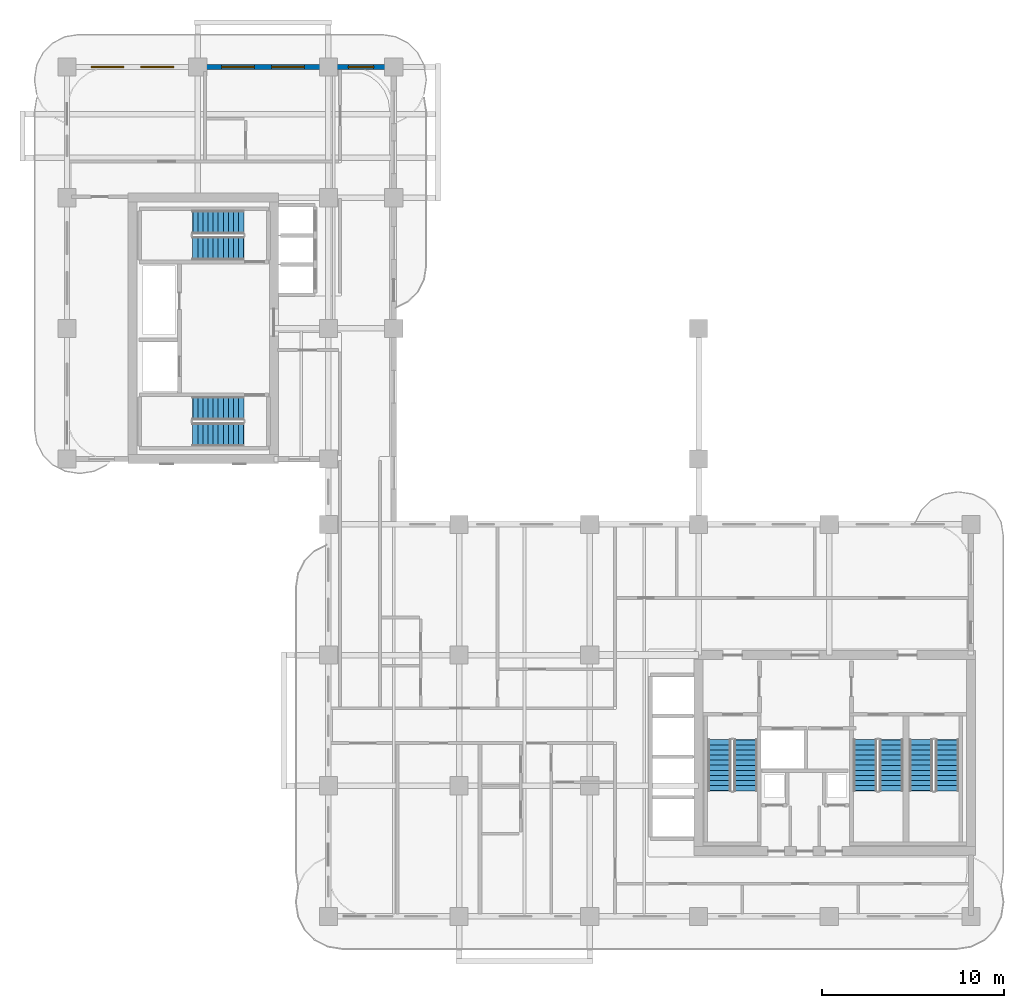
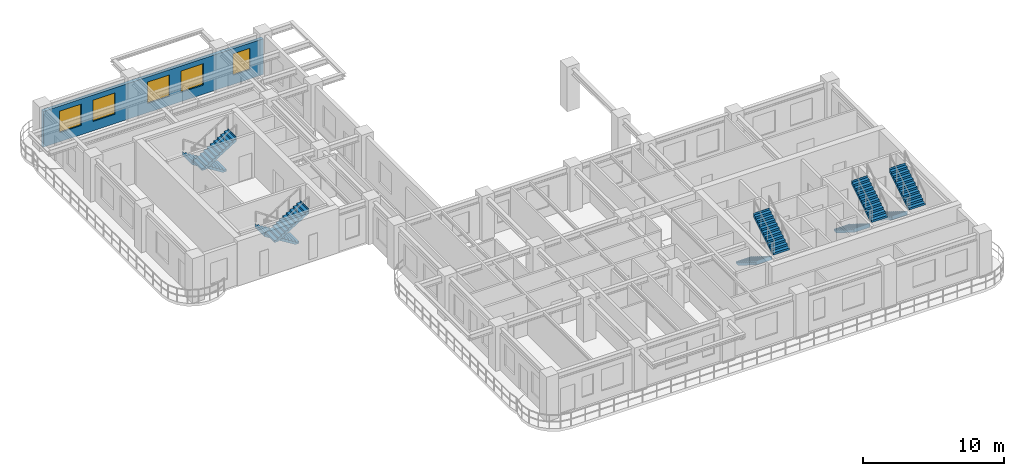
# One storey, part 9 of 14: 10 stair flights, 5 windows, 1 wall, 5 openings, 5 elements without a shape of their own.
"""IFC4 building model written with IfcOpenShell, lengths in metres."""

from ifc_helpers import new_model, si_unit, derived_unit, direction, frame, frame_2d, origin, place, context, subcontext, project, spatial, polyline, rectangle, outline, extrude, source, transform, mapped, material, layer, layer_set, type_object, type_shapes, element, fill, aggregate, save


model = new_model("IFC4")

# Units and contexts
model_context = context("Model", 3, precision=1e-05, world=origin(), true_north=direction((0.0, 1.0)))
body_context = subcontext(model_context, "Body", "Model", "MODEL_VIEW")
ifc_project = project(units=[si_unit("LENGTHUNIT", "METRE"), si_unit("AREAUNIT", "SQUARE_METRE"), si_unit("VOLUMEUNIT", "CUBIC_METRE"), si_unit("PLANEANGLEUNIT", "RADIAN"), si_unit("MASSUNIT", "GRAM", prefix="KILO"), si_unit("THERMODYNAMICTEMPERATUREUNIT", "KELVIN"), si_unit("POWERUNIT", "WATT"), derived_unit("THERMALTRANSMITTANCEUNIT", [(si_unit("POWERUNIT", "WATT"), 1), (si_unit("AREAUNIT", "SQUARE_METRE"), -1), (si_unit("THERMODYNAMICTEMPERATUREUNIT", "KELVIN"), -1)])], contexts=[model_context])

# Site, building, storey
site_placement = place(None, origin())
site = spatial("IfcSite", under=ifc_project, at=site_placement, CompositionType="ELEMENT")
building_placement = place(site_placement, origin())
building = spatial("IfcBuilding", under=site, at=building_placement, Name="Zahravan Archway Hotel and Residences", CompositionType="ELEMENT")
storey_placement = place(building_placement, frame((0.0, 0.0, 188.800048828125)))
storey = spatial("IfcBuildingStorey", under=building, at=storey_placement, Name="L47", CompositionType="ELEMENT", Elevation=188.800048828125)

# Wall, openings, windows
ifc_material_1 = material(Name="Honed Red-Ochre Sandstone & Insulated Block", Category="masonry")
ifc_layer_1 = layer(ifc_material_1, 0.280029296875, Name="Honed Red-Ochre Sandstone & Insulated Block", Category="masonry")
ifc_layer_set_1 = layer_set([ifc_layer_1], Name="Honed Red-Ochre Sandstone & Insulated Block")
wall_type = type_object("IfcWallType", Name="EW-LOG-280", PredefinedType="SOLIDWALL", material=ifc_layer_set_1)
wall_placement = place(storey_placement, frame((0.0, 46.800048828125, 0.0), z_axis=(0.0, 0.0, 1.0), x_axis=(1.0, 0.0, 0.0)))
wall = element("IfcWall", 1, at=wall_placement, inside=storey, type_object=wall_type, Name="L47 Exterior Sandstone Wall WB-N", PredefinedType="SOLIDWALL", context=body_context, shape_type="SweptSolid", body=[
    extrude(rectangle(XDim=18.0, YDim=0.280029296875, at=frame_2d((9.0, 0.0))), origin(), (0.0, 0.0, 1.0), 3.0849609375),
])
opening_1_placement = place(wall_placement, frame((1.324951171875, 0.0, 0.800048828125)))
opening_1 = element("IfcOpeningElement", 2, at=opening_1_placement, cuts=wall, Name="Opening W-02", PredefinedType="OPENING", context=body_context, shape_type="SweptSolid", body=[
    extrude(rectangle(XDim=1.800048828125, YDim=1.85009765625, at=frame_2d((0.89990234375, 0.925048828125))), frame((0.0, 0.14990234375, 0.0), z_axis=(0.0, -1.0, 0.0), x_axis=(1.0, 0.0, 0.0)), (0.0, 0.0, 1.0), 0.300048828125),
])
opening_2_placement = place(wall_placement, frame((4.074951171875, 0.0, 0.800048828125)))
opening_2 = element("IfcOpeningElement", 3, at=opening_2_placement, cuts=wall, Name="Opening W-02", PredefinedType="OPENING", context=body_context, shape_type="SweptSolid", body=[
    extrude(rectangle(XDim=1.800048828125, YDim=1.85009765625, at=frame_2d((0.89990234375, 0.925048828125))), frame((0.0, 0.14990234375, 0.0), z_axis=(0.0, -1.0, 0.0), x_axis=(1.0, 0.0, 0.0)), (0.0, 0.0, 1.0), 0.300048828125),
])
opening_3_placement = place(wall_placement, frame((8.52490234375, 0.0, 0.800048828125)))
opening_3 = element("IfcOpeningElement", 4, at=opening_3_placement, cuts=wall, Name="Opening W-02", PredefinedType="OPENING", context=body_context, shape_type="SweptSolid", body=[
    extrude(rectangle(XDim=1.800048828125, YDim=1.85009765625, at=frame_2d((0.89990234375, 0.925048828125))), frame((0.0, 0.14990234375, 0.0), z_axis=(0.0, -1.0, 0.0), x_axis=(1.0, 0.0, 0.0)), (0.0, 0.0, 1.0), 0.300048828125),
])
opening_4_placement = place(wall_placement, frame((11.27490234375, 0.0, 0.800048828125)))
opening_4 = element("IfcOpeningElement", 5, at=opening_4_placement, cuts=wall, Name="Opening W-02", PredefinedType="OPENING", context=body_context, shape_type="SweptSolid", body=[
    extrude(rectangle(XDim=1.800048828125, YDim=1.85009765625, at=frame_2d((0.89990234375, 0.925048828125))), frame((0.0, 0.14990234375, 0.0), z_axis=(0.0, -1.0, 0.0), x_axis=(1.0, 0.0, 0.0)), (0.0, 0.0, 1.0), 0.300048828125),
])
opening_5_placement = place(wall_placement, frame((15.5, 0.0, 0.800048828125)))
opening_5 = element("IfcOpeningElement", 6, at=opening_5_placement, cuts=wall, Name="Opening W-03", PredefinedType="OPENING", context=body_context, shape_type="SweptSolid", body=[
    extrude(rectangle(XDim=1.39990234375, YDim=1.85009765625, at=frame_2d((0.699951171875, 0.925048828125))), frame((0.0, 0.14990234375, 0.0), z_axis=(0.0, -1.0, 0.0), x_axis=(1.0, 0.0, 0.0)), (0.0, 0.0, 1.0), 0.300048828125),
])
ifc_material_2 = material(Name="Bronze-Anodized Thermal-Break Aluminium & Low-E Glass", Category="aluminium")
window_type_1 = type_object("IfcWindowType", Name="WIN-TWR-1400", PartitioningType="SINGLE_PANEL", PredefinedType="WINDOW", material=ifc_material_2)
shared_shape_1 = source(origin(), body_context, "Body", "SweptSolid", [
    extrude(rectangle(XDim=1.39990234375, YDim=1.85009765625, at=frame_2d((0.699951171875, 0.925048828125))), frame((0.0, 0.030029296875, 0.0), z_axis=(0.0, -1.0, 0.0), x_axis=(1.0, 0.0, 0.0)), (0.0, 0.0, 1.0), 0.06005859375),
])
type_shapes(window_type_1, [shared_shape_1])
window_1_placement = place(opening_5_placement, origin())
window_1 = element("IfcWindow", 7, at=window_1_placement, inside=storey, type_object=window_type_1, Name="L47 Loggia Window 37", OverallHeight=1.85009765625, OverallWidth=1.39990234375, PartitioningType="SINGLE_PANEL", PredefinedType="WINDOW", context=body_context, shape_type="MappedRepresentation", body=[
    mapped(shared_shape_1, transform((0.0, 0.0, 0.0), scale=1.0)),
])
fill(opening_5, window_1)
window_type_2 = type_object("IfcWindowType", Name="WIN-TWR-1800", PartitioningType="DOUBLE_PANEL_VERTICAL", PredefinedType="WINDOW", material=ifc_material_2)
shared_shape_2 = source(origin(), body_context, "Body", "SweptSolid", [
    extrude(rectangle(XDim=1.800048828125, YDim=1.85009765625, at=frame_2d((0.89990234375, 0.925048828125))), frame((0.0, 0.030029296875, 0.0), z_axis=(0.0, -1.0, 0.0), x_axis=(1.0, 0.0, 0.0)), (0.0, 0.0, 1.0), 0.06005859375),
])
type_shapes(window_type_2, [shared_shape_2])
window_2_placement = place(opening_1_placement, origin())
window_2 = element("IfcWindow", 8, at=window_2_placement, inside=storey, type_object=window_type_2, Name="L47 Loggia Window 33", OverallHeight=1.85009765625, OverallWidth=1.800048828125, PartitioningType="DOUBLE_PANEL_VERTICAL", PredefinedType="WINDOW", context=body_context, shape_type="MappedRepresentation", body=[
    mapped(shared_shape_2, transform((0.0, 0.0, 0.0), scale=1.0)),
])
fill(opening_1, window_2)
window_3_placement = place(opening_2_placement, origin())
window_3 = element("IfcWindow", 9, at=window_3_placement, inside=storey, type_object=window_type_2, Name="L47 Loggia Window 34", OverallHeight=1.85009765625, OverallWidth=1.800048828125, PartitioningType="DOUBLE_PANEL_VERTICAL", PredefinedType="WINDOW", context=body_context, shape_type="MappedRepresentation", body=[
    mapped(shared_shape_2, transform((0.0, 0.0, 0.0), scale=1.0)),
])
fill(opening_2, window_3)
window_4_placement = place(opening_3_placement, origin())
window_4 = element("IfcWindow", 10, at=window_4_placement, inside=storey, type_object=window_type_2, Name="L47 Loggia Window 35", OverallHeight=1.85009765625, OverallWidth=1.800048828125, PartitioningType="DOUBLE_PANEL_VERTICAL", PredefinedType="WINDOW", context=body_context, shape_type="MappedRepresentation", body=[
    mapped(shared_shape_2, transform((0.0, 0.0, 0.0), scale=1.0)),
])
fill(opening_3, window_4)
window_5_placement = place(opening_4_placement, origin())
window_5 = element("IfcWindow", 11, at=window_5_placement, inside=storey, type_object=window_type_2, Name="L47 Loggia Window 36", OverallHeight=1.85009765625, OverallWidth=1.800048828125, PartitioningType="DOUBLE_PANEL_VERTICAL", PredefinedType="WINDOW", context=body_context, shape_type="MappedRepresentation", body=[
    mapped(shared_shape_2, transform((0.0, 0.0, 0.0), scale=1.0)),
])
fill(opening_4, window_5)

# Stair, stair flights
ifc_material_3 = material(Name="Concrete C50/60", Category="concrete")
stair_type = type_object("IfcStairType", Name="STR-CORE-1300", PredefinedType="HALF_TURN_STAIR", material=ifc_material_3)
stair_1_placement = place(storey_placement, origin())
stair_1 = element("IfcStair", 12, at=stair_1_placement, inside=storey, type_object=stair_type, Name="L47 Core A Exit Stair 1", PredefinedType="HALF_TURN_STAIR")
ifc_layer_2 = layer(ifc_material_3, 0.199951171875, Name="Concrete C50/60", Category="concrete")
ifc_layer_set_2 = layer_set([ifc_layer_2], Name="Concrete C50/60")
stair_flight_type = type_object("IfcStairFlightType", Name="SFL-CORE-1300", PredefinedType="STRAIGHT", material=ifc_layer_set_2)
shared_shape_3 = source(origin(), body_context, "Body", "SweptSolid", [
    extrude(outline(polyline([(-0.01611328125, 0.0), (-0.01611328125, 0.175048828125), (0.280029296875, 0.175048828125), (0.280029296875, 0.35009765625), (0.56005859375, 0.35009765625), (0.56005859375, 0.52490234375), (0.840087890625, 0.52490234375), (0.840087890625, 0.699951171875), (1.1201171875, 0.699951171875), (1.1201171875, 0.875), (1.39990234375, 0.875), (1.39990234375, 1.050048828125), (1.679931640625, 1.050048828125), (1.679931640625, 1.22509765625), (1.9599609375, 1.22509765625), (1.9599609375, 1.39990234375), (2.239990234375, 1.39990234375), (2.239990234375, 1.574951171875), (2.52001953125, 1.574951171875), (2.52001953125, 1.75), (2.800048828125, 1.75), (2.800048828125, 1.925048828125), (2.816162109375, 1.925048828125), (2.816162109375, 1.5732421875), (0.28271484375, 0.0), (-0.01611328125, 0.0)])), frame((0.0, 0.64990234375, 0.0), z_axis=(0.0, -1.0, 0.0), x_axis=(1.0, 0.0, 0.0)), (0.0, 0.0, 1.0), 1.300048828125),
])
stair_flight_1_placement = place(storey_placement, frame((35.949951171875, 9.72998046875, 0.0), z_axis=(0.0, 0.0, 1.0), x_axis=(0.0, -1.0, 0.0)))
stair_flight_1 = element("IfcStairFlight", 13, at=stair_flight_1_placement, type_object=stair_flight_type, Name="ST-A1 flight 1", NumberOfRisers=11, NumberOfTreads=10, PredefinedType="STRAIGHT", RiserHeight=0.175, TreadLength=0.28, context=body_context, shape_type="MappedRepresentation", body=[
    mapped(shared_shape_3, transform((0.0, 0.0, 0.0), scale=1.0)),
])
stair_flight_2_placement = place(storey_placement, frame((37.389892578125, 6.929931640625, 1.925048828125), z_axis=(0.0, 0.0, 1.0), x_axis=(0.0, 1.0, 0.0)))
stair_flight_2 = element("IfcStairFlight", 14, at=stair_flight_2_placement, type_object=stair_flight_type, Name="ST-A1 flight 2", NumberOfRisers=11, NumberOfTreads=10, PredefinedType="STRAIGHT", RiserHeight=0.175, TreadLength=0.28, context=body_context, shape_type="MappedRepresentation", body=[
    mapped(shared_shape_3, transform((0.0, 0.0, 0.0), scale=1.0)),
])
aggregate(stair_1, [stair_flight_1, stair_flight_2])

stair_2_placement = place(storey_placement, origin())
stair_2 = element("IfcStair", 15, at=stair_2_placement, inside=storey, type_object=stair_type, Name="L47 Core A Exit Stair 2", PredefinedType="HALF_TURN_STAIR")
stair_flight_3_placement = place(storey_placement, frame((43.969970703125, 9.72998046875, 0.0), z_axis=(0.0, 0.0, 1.0), x_axis=(0.0, -1.0, 0.0)))
stair_flight_3 = element("IfcStairFlight", 16, at=stair_flight_3_placement, type_object=stair_flight_type, Name="ST-A2 flight 1", NumberOfRisers=11, NumberOfTreads=10, PredefinedType="STRAIGHT", RiserHeight=0.175, TreadLength=0.28, context=body_context, shape_type="MappedRepresentation", body=[
    mapped(shared_shape_3, transform((0.0, 0.0, 0.0), scale=1.0)),
])
stair_flight_4_placement = place(storey_placement, frame((45.409912109375, 6.929931640625, 1.925048828125), z_axis=(0.0, 0.0, 1.0), x_axis=(0.0, 1.0, 0.0)))
stair_flight_4 = element("IfcStairFlight", 17, at=stair_flight_4_placement, type_object=stair_flight_type, Name="ST-A2 flight 2", NumberOfRisers=11, NumberOfTreads=10, PredefinedType="STRAIGHT", RiserHeight=0.175, TreadLength=0.28, context=body_context, shape_type="MappedRepresentation", body=[
    mapped(shared_shape_3, transform((0.0, 0.0, 0.0), scale=1.0)),
])
aggregate(stair_2, [stair_flight_3, stair_flight_4])

stair_3_placement = place(storey_placement, origin())
stair_3 = element("IfcStair", 18, at=stair_3_placement, inside=storey, type_object=stair_type, Name="L47 Core A Exit Stair 3", PredefinedType="HALF_TURN_STAIR")
stair_flight_5_placement = place(storey_placement, frame((47.050048828125, 9.72998046875, 0.0), z_axis=(0.0, 0.0, 1.0), x_axis=(0.0, -1.0, 0.0)))
stair_flight_5 = element("IfcStairFlight", 19, at=stair_flight_5_placement, type_object=stair_flight_type, Name="ST-A3 flight 1", NumberOfRisers=11, NumberOfTreads=10, PredefinedType="STRAIGHT", RiserHeight=0.175, TreadLength=0.28, context=body_context, shape_type="MappedRepresentation", body=[
    mapped(shared_shape_3, transform((0.0, 0.0, 0.0), scale=1.0)),
])
stair_flight_6_placement = place(storey_placement, frame((48.489990234375, 6.929931640625, 1.925048828125), z_axis=(0.0, 0.0, 1.0), x_axis=(0.0, 1.0, 0.0)))
stair_flight_6 = element("IfcStairFlight", 20, at=stair_flight_6_placement, type_object=stair_flight_type, Name="ST-A3 flight 2", NumberOfRisers=11, NumberOfTreads=10, PredefinedType="STRAIGHT", RiserHeight=0.175, TreadLength=0.28, context=body_context, shape_type="MappedRepresentation", body=[
    mapped(shared_shape_3, transform((0.0, 0.0, 0.0), scale=1.0)),
])
aggregate(stair_3, [stair_flight_5, stair_flight_6])

stair_4_placement = place(storey_placement, origin())
stair_4 = element("IfcStair", 21, at=stair_4_placement, inside=storey, type_object=stair_type, Name="L47 Core B Exit Stair 1", PredefinedType="HALF_TURN_STAIR")
stair_flight_7_placement = place(storey_placement, frame((9.72998046875, 27.989990234375, 0.0), z_axis=(0.0, 0.0, 1.0), x_axis=(-1.0, 0.0, 0.0)))
stair_flight_7 = element("IfcStairFlight", 22, at=stair_flight_7_placement, type_object=stair_flight_type, Name="ST-B1 flight 1", NumberOfRisers=11, NumberOfTreads=10, PredefinedType="STRAIGHT", RiserHeight=0.175, TreadLength=0.28, context=body_context, shape_type="MappedRepresentation", body=[
    mapped(shared_shape_3, transform((0.0, 0.0, 0.0), scale=1.0)),
])
stair_flight_8_placement = place(storey_placement, frame((6.929931640625, 26.550048828125, 1.925048828125), z_axis=(0.0, 0.0, 1.0), x_axis=(1.0, 0.0, 0.0)))
stair_flight_8 = element("IfcStairFlight", 23, at=stair_flight_8_placement, type_object=stair_flight_type, Name="ST-B1 flight 2", NumberOfRisers=11, NumberOfTreads=10, PredefinedType="STRAIGHT", RiserHeight=0.175, TreadLength=0.28, context=body_context, shape_type="MappedRepresentation", body=[
    mapped(shared_shape_3, transform((0.0, 0.0, 0.0), scale=1.0)),
])
aggregate(stair_4, [stair_flight_7, stair_flight_8])

stair_5_placement = place(storey_placement, origin())
stair_5 = element("IfcStair", 24, at=stair_5_placement, inside=storey, type_object=stair_type, Name="L47 Core B Exit Stair 2", PredefinedType="HALF_TURN_STAIR")
stair_flight_9_placement = place(storey_placement, frame((9.72998046875, 38.25, 0.0), z_axis=(0.0, 0.0, 1.0), x_axis=(-1.0, 0.0, 0.0)))
stair_flight_9 = element("IfcStairFlight", 25, at=stair_flight_9_placement, type_object=stair_flight_type, Name="ST-B2 flight 1", NumberOfRisers=11, NumberOfTreads=10, PredefinedType="STRAIGHT", RiserHeight=0.175, TreadLength=0.28, context=body_context, shape_type="MappedRepresentation", body=[
    mapped(shared_shape_3, transform((0.0, 0.0, 0.0), scale=1.0)),
])
stair_flight_10_placement = place(storey_placement, frame((6.929931640625, 36.81005859375, 1.925048828125), z_axis=(0.0, 0.0, 1.0), x_axis=(1.0, 0.0, 0.0)))
stair_flight_10 = element("IfcStairFlight", 26, at=stair_flight_10_placement, type_object=stair_flight_type, Name="ST-B2 flight 2", NumberOfRisers=11, NumberOfTreads=10, PredefinedType="STRAIGHT", RiserHeight=0.175, TreadLength=0.28, context=body_context, shape_type="MappedRepresentation", body=[
    mapped(shared_shape_3, transform((0.0, 0.0, 0.0), scale=1.0)),
])
aggregate(stair_5, [stair_flight_9, stair_flight_10])

save(model, "model.ifc")
